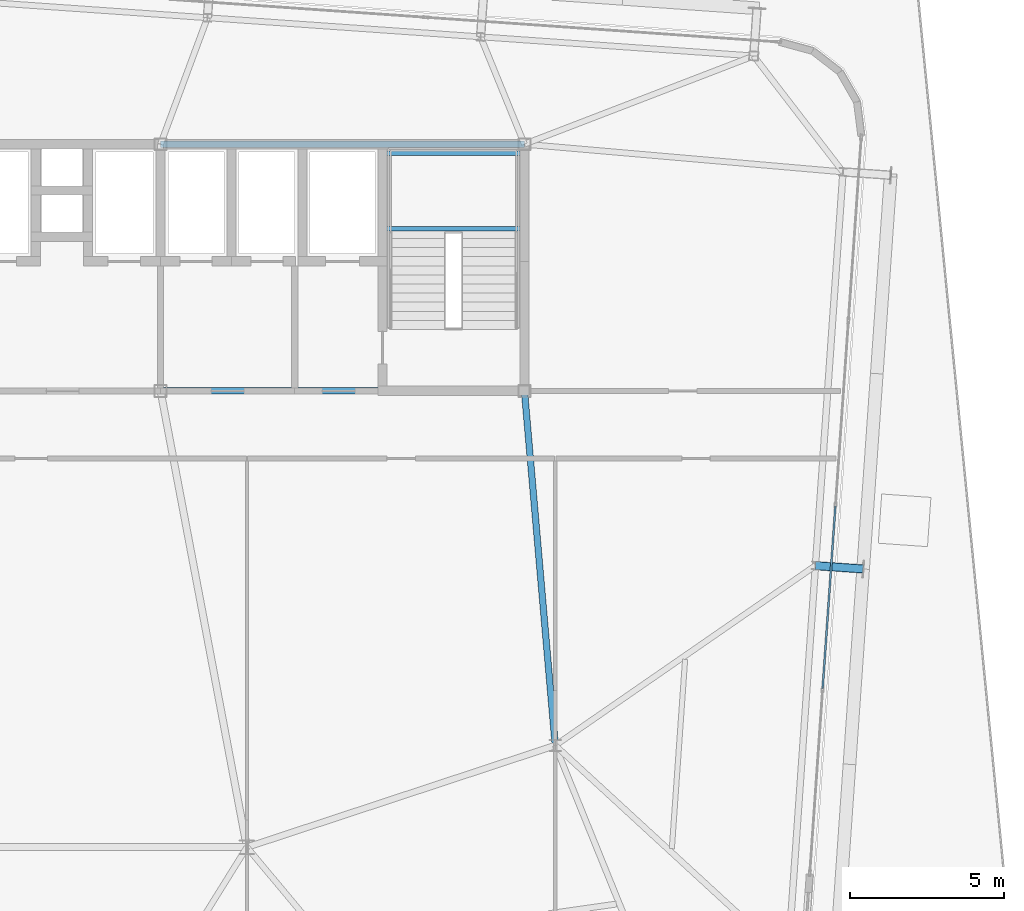
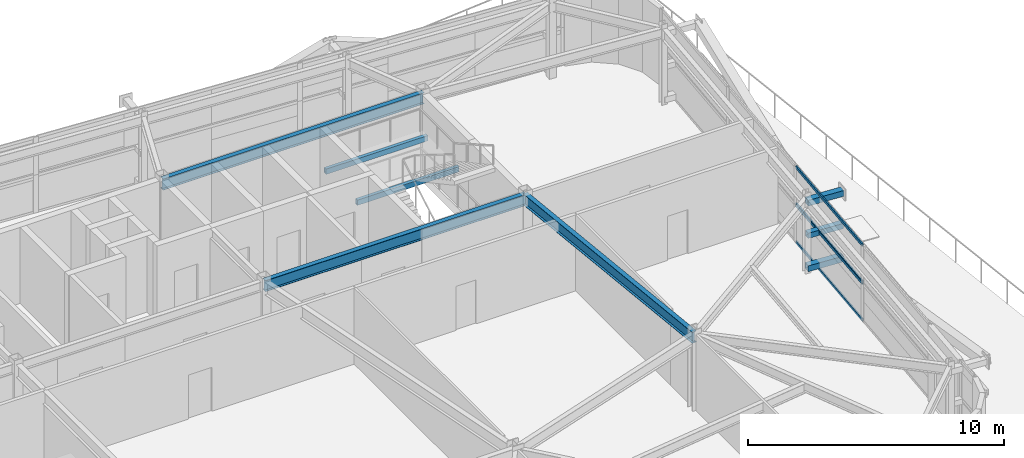
# One storey, part 17 of 36: 7 members, 5 beams, 2 elements without a shape of their own.
"""IFC4 building model written with IfcOpenShell, lengths in metres."""

from ifc_helpers import new_model, si_unit, direction, frame, origin, origin_2d, place, context, subcontext, project, spatial, hollow_rectangle, i_section, extrude, source, transform, mapped, material, layer, layer_set, material_profile, profile_set, type_object, element, aggregate, save


model = new_model("IFC4")

# Units and contexts
model_context = context("Model", 3, precision=1e-05, world=origin(), true_north=direction((0.0, 1.0)))
body_context = subcontext(model_context, "Body", "Model", "MODEL_VIEW")
ifc_project = project(units=[si_unit("LENGTHUNIT", "METRE"), si_unit("AREAUNIT", "SQUARE_METRE"), si_unit("VOLUMEUNIT", "CUBIC_METRE"), si_unit("PLANEANGLEUNIT", "RADIAN"), si_unit("MASSUNIT", "GRAM", prefix="KILO")], contexts=[model_context])

# Site, building, storey
site_placement = place(None, origin())
site = spatial("IfcSite", under=ifc_project, at=site_placement, CompositionType="ELEMENT")
building_placement = place(site_placement, origin())
building = spatial("IfcBuilding", under=site, at=building_placement, Name="Taldren Reach Tower", CompositionType="ELEMENT")
storey_placement = place(building_placement, frame((0.0, 0.0, 116.550048828125)))
storey = spatial("IfcBuildingStorey", under=building, at=storey_placement, Name="L35", CompositionType="ELEMENT", Elevation=116.550048828125)

# Beams
ifc_material_1 = material(Name="Steel Gr 350 (350PLUS)", Category="steel")
ifc_material_profile_1 = material_profile(ifc_material_1, i_section(OverallWidth=0.208984375, OverallDepth=0.532958984375, WebThickness=0.01025390625, FlangeThickness=0.015625, at=origin_2d()), Name="530UB92.4")
ifc_profile_set_1 = profile_set([ifc_material_profile_1], Name="Steel Gr 350 (350PLUS)")
beam_type_1 = type_object("IfcBeamType", Name="BM-UB530A", PredefinedType="BEAM", material=ifc_profile_set_1)
shared_shape_1 = source(origin(), body_context, "Body", "SweptSolid", [
    extrude(i_section(OverallWidth=0.208984375, OverallDepth=0.532958984375, WebThickness=0.01025390625, FlangeThickness=0.015625, at=origin_2d()), origin(), (0.0, 0.0, 1.0), 11.800048828125),
])
for number, where, z_axis, x_axis, name in (
    (1, (39.199951171875, 24.0, 3.363525390625), (1.0, 0.0, 0.0), (0.0, 1.0, 0.0), "Core-spine girder L35-SP03"),
    (2, (39.199951171875, 32.0, 3.363525390625), (1.0, 0.0, 0.0), (0.0, 1.0, 0.0), "Core-spine girder L35-SP06"),
):
    element("IfcBeam", number, at=place(storey_placement, frame(where, z_axis=z_axis, x_axis=x_axis)), inside=storey, type_object=beam_type_1, Name=name, PredefinedType="BEAM", context=body_context, shape_type="MappedRepresentation", body=[
        mapped(shared_shape_1, transform((0.0, 0.0, 0.0), scale=1.0)),
    ])
shared_shape_2 = source(origin(), body_context, "Body", "SweptSolid", [
    extrude(i_section(OverallWidth=0.208984375, OverallDepth=0.532958984375, WebThickness=0.01025390625, FlangeThickness=0.015625, at=origin_2d()), origin(), (0.0, 0.0, 1.0), 11.54345703125),
])
beam_placement = place(storey_placement, frame((52.0, 12.5, 3.363525390625), z_axis=(-0.086629616365, 0.996240588196, 0.0), x_axis=(-0.996240588196, -0.086629616365, 0.0)))
element("IfcBeam", 3, at=beam_placement, inside=storey, type_object=beam_type_1, Name="Core-spine girder L35-SP13", PredefinedType="BEAM", context=body_context, shape_type="MappedRepresentation", body=[
    mapped(shared_shape_2, transform((0.0, 0.0, 0.0), scale=1.0)),
])

# Members
ifc_material_2 = material(Name="Steel Gr 450 (C450L0)", Category="steel")
ifc_material_profile_2 = material_profile(ifc_material_2, hollow_rectangle(XDim=0.27490234375, YDim=0.27490234375, WallThickness=0.00927734375, at=origin_2d()), Name="275x275x9.3SHS")
ifc_profile_set_2 = profile_set([ifc_material_profile_2], Name="Steel Gr 450 (C450L0)")
member_type_1 = type_object("IfcMemberType", Name="MB-TIE273", PredefinedType="STRUT", material=ifc_profile_set_2)
shared_shape_3 = source(origin(), body_context, "Body", "SweptSolid", [
    extrude(hollow_rectangle(XDim=0.27490234375, YDim=0.27490234375, WallThickness=0.00927734375, at=origin_2d()), origin(), (0.0, 0.0, 1.0), 1.5498046875),
])
for number, where, z_axis, x_axis, name in (
    (4, (60.438232421875, 18.331787109375, 3.349853515625), (0.997562367434, -0.069780535098, 0.0), (0.069780535098, 0.997562367434, 0.0), "Exoskeleton diaphragm tie strut B3-E2 L35"),
    (5, (60.438232421875, 18.331787109375, 0.219970703125), (0.997562367434, -0.069780535098, 0.0), (0.069780535098, 0.997562367434, 0.0), "Exoskeleton base diaphragm tie strut B3-E2 L35"),
):
    element("IfcMember", number, at=place(storey_placement, frame(where, z_axis=z_axis, x_axis=x_axis)), inside=storey, type_object=member_type_1, Name=name, PredefinedType="STRUT", context=body_context, shape_type="MappedRepresentation", body=[
        mapped(shared_shape_3, transform((0.0, 0.0, 0.0), scale=1.0)),
    ])
ifc_material_3 = material(Name="Steel Gr 350 (C350L0)", Category="steel")
ifc_material_profile_3 = material_profile(ifc_material_3, hollow_rectangle(XDim=0.25, YDim=0.25, WallThickness=0.010009765625, at=origin_2d()), Name="250x250x10.0SHS")
ifc_profile_set_3 = profile_set([ifc_material_profile_3], Name="Steel Gr 350 (C350L0)")
member_type_2 = type_object("IfcMemberType", Name="MB-POST250", PredefinedType="POST", material=ifc_profile_set_3)
shared_shape_4 = source(origin(), body_context, "Body", "SweptSolid", [
    extrude(hollow_rectangle(XDim=0.25, YDim=0.25, WallThickness=0.010009765625, at=origin_2d()), origin(), (0.0, 0.0, 1.0), 1.5498046875),
])
member_1_placement = place(storey_placement, frame((60.438232421875, 18.331787109375, 1.784912109375), z_axis=(0.997562367434, -0.069780535098, 0.0), x_axis=(0.069780535098, 0.997562367434, 0.0)))
element("IfcMember", 6, at=member_1_placement, inside=storey, type_object=member_type_2, Name="Exoskeleton mid-tier diaphragm tie B3-E2 L35", PredefinedType="POST", context=body_context, shape_type="MappedRepresentation", body=[
    mapped(shared_shape_4, transform((0.0, 0.0, 0.0), scale=1.0)),
])

# Curtain wall, members
ifc_material_4 = material(Name="Aluminium and Low-E Glass Unitised System", Category="aluminium")
ifc_layer = layer(ifc_material_4, 0.159912109375)
ifc_layer_set = layer_set([ifc_layer], Name="Aluminium and Low-E Glass Unitised System")
curtain_wall_type = type_object("IfcCurtainWallType", Name="CW-SYS-7", PredefinedType="NOTDEFINED", material=ifc_layer_set)
curtain_wall_1_placement = place(storey_placement, origin())
curtain_wall_1 = element("IfcCurtainWall", 7, at=curtain_wall_1_placement, inside=storey, type_object=curtain_wall_type, Name="Unitised curtain wall CW-L35-E2", PredefinedType="NOTDEFINED")
ifc_material_5 = material(Name="Anodised Aluminium 6063-T6", Category="aluminium")
ifc_material_profile_4 = material_profile(ifc_material_5, hollow_rectangle(XDim=0.06005859375, YDim=0.135009765625, WallThickness=0.00341796875, at=origin_2d()), Name="ALU-135x60x3.5RHS")
ifc_profile_set_4 = profile_set([ifc_material_profile_4], Name="Anodised Aluminium 6063-T6")
member_type_3 = type_object("IfcMemberType", Name="CW-TRN-150", PredefinedType="USERDEFINED", material=ifc_profile_set_4)
shared_shape_5 = source(origin(), body_context, "Body", "SweptSolid", [
    extrude(hollow_rectangle(XDim=0.06005859375, YDim=0.135009765625, WallThickness=0.00341796875, at=origin_2d()), origin(), (0.0, 0.0, 1.0), 5.92236328125),
])
member_2_placement = place(storey_placement, frame((60.671142578125, 14.350830078125, 0.030029296875), z_axis=(0.06974995431, 0.997564506122, 0.0), x_axis=(-0.997564506122, 0.06974995431, 0.0)))
member_2 = element("IfcMember", 8, at=member_2_placement, type_object=member_type_3, Name="CW-7 transom 2.1", ObjectType="TRANSOM", PredefinedType="USERDEFINED", context=body_context, shape_type="MappedRepresentation", body=[
    mapped(shared_shape_5, transform((0.0, 0.0, 0.0), scale=1.0)),
])
member_3_placement = place(storey_placement, frame((60.671142578125, 14.350830078125, 1.784912109375), z_axis=(0.06974995431, 0.997564506122, 0.0), x_axis=(-0.997564506122, 0.06974995431, 0.0)))
member_3 = element("IfcMember", 9, at=member_3_placement, type_object=member_type_3, Name="CW-7 transom 2.2", ObjectType="TRANSOM", PredefinedType="USERDEFINED", context=body_context, shape_type="MappedRepresentation", body=[
    mapped(shared_shape_5, transform((0.0, 0.0, 0.0), scale=1.0)),
])
aggregate(curtain_wall_1, [member_2, member_3])

curtain_wall_2_placement = place(storey_placement, origin())
curtain_wall_2 = element("IfcCurtainWall", 10, at=curtain_wall_2_placement, inside=storey, type_object=curtain_wall_type, Name="Unitised curtain wall CW-L35-E2-T2", PredefinedType="NOTDEFINED")
member_4_placement = place(storey_placement, frame((60.671142578125, 14.350830078125, 1.844970703125), z_axis=(0.06974995431, 0.997564506122, 0.0), x_axis=(-0.997564506122, 0.06974995431, 0.0)))
member_4 = element("IfcMember", 11, at=member_4_placement, type_object=member_type_3, Name="CW-7 transom 2.1", ObjectType="TRANSOM", PredefinedType="USERDEFINED", context=body_context, shape_type="MappedRepresentation", body=[
    mapped(shared_shape_5, transform((0.0, 0.0, 0.0), scale=1.0)),
])
member_5_placement = place(storey_placement, frame((60.671142578125, 14.350830078125, 3.599853515625), z_axis=(0.06974995431, 0.997564506122, 0.0), x_axis=(-0.997564506122, 0.06974995431, 0.0)))
member_5 = element("IfcMember", 12, at=member_5_placement, type_object=member_type_3, Name="CW-7 transom 2.2", ObjectType="TRANSOM", PredefinedType="USERDEFINED", context=body_context, shape_type="MappedRepresentation", body=[
    mapped(shared_shape_5, transform((0.0, 0.0, 0.0), scale=1.0)),
])
aggregate(curtain_wall_2, [member_4, member_5])

# Beams
ifc_material_profile_5 = material_profile(ifc_material_3, hollow_rectangle(XDim=0.14990234375, YDim=0.25, WallThickness=0.009033203125, at=origin_2d()), Name="250x150x9.0RHS")
ifc_profile_set_5 = profile_set([ifc_material_profile_5], Name="Steel Gr 350 (C350L0)")
beam_type_2 = type_object("IfcBeamType", Name="LN-RHS250", PredefinedType="LINTEL", material=ifc_profile_set_5)
shared_shape_6 = source(origin(), body_context, "Body", "SweptSolid", [
    extrude(hollow_rectangle(XDim=0.14990234375, YDim=0.25, WallThickness=0.009033203125, at=origin_2d()), origin(), (0.0, 0.0, 1.0), 4.60009765625),
])
for number, where, z_axis, x_axis, name in (
    (13, (46.39990234375, 29.2548828125, 1.619873046875), (1.0, 0.0, 0.0), (0.0, 1.0, 0.0), "Stair half-landing support beam ST2-L35-1"),
    (14, (46.39990234375, 31.699951171875, 1.619873046875), (1.0, 0.0, 0.0), (0.0, 1.0, 0.0), "Stair half-landing support beam ST2-L35-2"),
):
    element("IfcBeam", number, at=place(storey_placement, frame(where, z_axis=z_axis, x_axis=x_axis)), inside=storey, type_object=beam_type_2, Name=name, PredefinedType="LINTEL", context=body_context, shape_type="MappedRepresentation", body=[
        mapped(shared_shape_6, transform((0.0, 0.0, 0.0), scale=1.0)),
    ])

save(model, "model.ifc")
